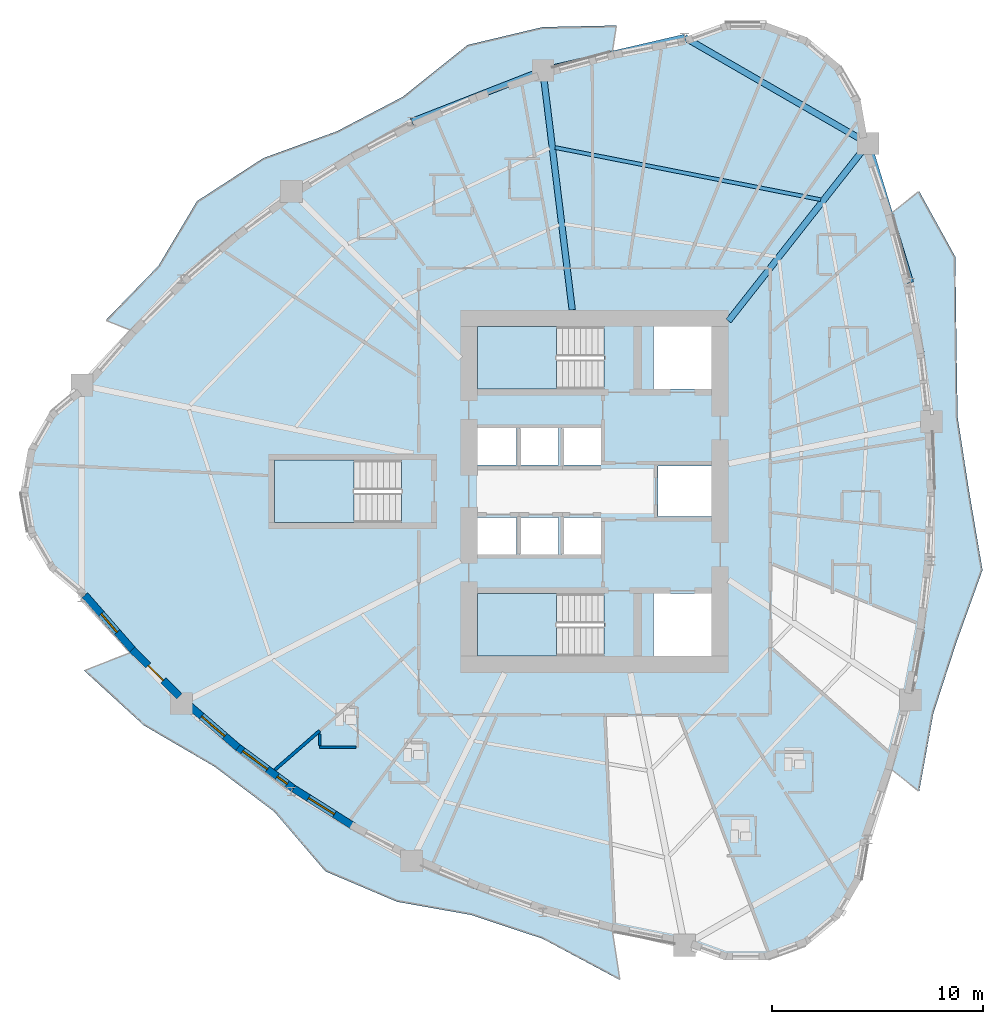
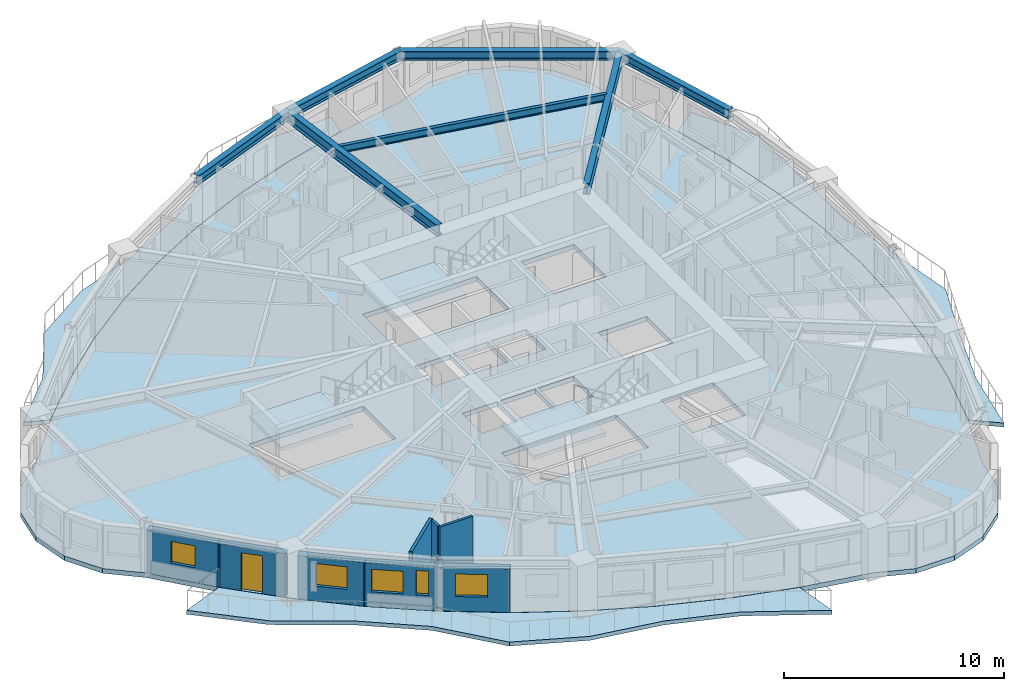
# One storey, part 2 of 14: 8 walls, 7 beams, 7 slabs, 5 windows, 1 door, 6 openings, 3 elements without a shape of their own.
"""IFC4 building model written with IfcOpenShell, lengths in metres."""

from ifc_helpers import new_model, si_unit, direction, frame, frame_2d, origin, origin_2d, place, context, subcontext, project, spatial, polyline, rectangle, i_section, outline, extrude, source, transform, mapped, material, layer, layer_set, material_profile, profile_set, type_object, element, fill, aggregate, save


model = new_model("IFC4")

# Units and contexts
model_context = context("Model", 3, precision=1e-05, world=origin(), true_north=direction((0.0, 1.0)))
body_context = subcontext(model_context, "Body", "Model", "MODEL_VIEW")
ifc_project = project(units=[si_unit("LENGTHUNIT", "METRE"), si_unit("AREAUNIT", "SQUARE_METRE"), si_unit("VOLUMEUNIT", "CUBIC_METRE"), si_unit("PLANEANGLEUNIT", "RADIAN"), si_unit("MASSUNIT", "GRAM", prefix="KILO")], contexts=[model_context])

# Site, building, storey
site_placement = place(None, origin())
site = spatial("IfcSite", under=ifc_project, at=site_placement, CompositionType="ELEMENT")
building_placement = place(site_placement, origin())
building = spatial("IfcBuilding", under=site, at=building_placement, Name="Qafzar Sky-Pleat Residences", CompositionType="ELEMENT")
storey_placement = place(building_placement, frame((0.0, 0.0, 39.800048828125)))
storey = spatial("IfcBuildingStorey", under=building, at=storey_placement, Name="L11", CompositionType="ELEMENT", Elevation=39.800048828125)

# Beams
ifc_material_1 = material(Name="Steel S355", Category="steel")
ifc_material_profile_1 = material_profile(ifc_material_1, i_section(OverallWidth=0.300048828125, OverallDepth=0.5, WebThickness=0.014404296875, FlangeThickness=0.028076171875, FilletRadius=0.027099609375, at=origin_2d()), Name="HEB 500")
ifc_profile_set_1 = profile_set([ifc_material_profile_1], Name="Steel S355")
beam_type_1 = type_object("IfcBeamType", Name="BM-SPAN-HEB500", PredefinedType="SPANDREL", material=ifc_profile_set_1)
shared_shape_1 = source(origin(), body_context, "Body", "SweptSolid", [
    extrude(i_section(OverallWidth=0.300048828125, OverallDepth=0.5, WebThickness=0.014404296875, FlangeThickness=0.028076171875, FilletRadius=0.027099609375, at=origin_2d()), origin(), (0.0, 0.0, 1.0), 10.0458984375),
])
beam_1_placement = place(storey_placement, frame((43.3173828125, 42.48486328125, 2.68798828125), z_axis=(-0.866024107753, 0.500002244785, 0.0), x_axis=(-0.500002244785, -0.866024107753, 0.0)))
element("IfcBeam", 1, at=beam_1_placement, inside=storey, type_object=beam_type_1, Name="L11 Perimeter Spandrel Beam 13", PredefinedType="SPANDREL", context=body_context, shape_type="MappedRepresentation", body=[
    mapped(shared_shape_1, transform((0.0, 0.0, 0.0), x_axis=(1.0, 0.0, 0.0), y_axis=(0.0, 1.0, 0.0), z_axis=(0.0, 0.0, 1.0), scale=1.0)),
])
shared_shape_2 = source(origin(), body_context, "Body", "SweptSolid", [
    extrude(i_section(OverallWidth=0.300048828125, OverallDepth=0.5, WebThickness=0.014404296875, FlangeThickness=0.028076171875, FilletRadius=0.027099609375, at=origin_2d()), origin(), (0.0, 0.0, 1.0), 6.891845703125),
])
beam_2_placement = place(storey_placement, frame((34.617431640625, 47.5078125, 2.68798828125), z_axis=(-0.974009481097, -0.226507242122, 0.0), x_axis=(0.226507242122, -0.974009481097, 0.0)))
element("IfcBeam", 2, at=beam_2_placement, inside=storey, type_object=beam_type_1, Name="L11 Perimeter Spandrel Beam 14", PredefinedType="SPANDREL", context=body_context, shape_type="MappedRepresentation", body=[
    mapped(shared_shape_2, transform((0.0, 0.0, 0.0), x_axis=(1.0, 0.0, 0.0), y_axis=(0.0, 1.0, 0.0), z_axis=(0.0, 0.0, 1.0), scale=1.0)),
])
shared_shape_3 = source(origin(), body_context, "Body", "SweptSolid", [
    extrude(i_section(OverallWidth=0.300048828125, OverallDepth=0.5, WebThickness=0.014404296875, FlangeThickness=0.028076171875, FilletRadius=0.027099609375, at=origin_2d()), origin(), (0.0, 0.0, 1.0), 6.669677734375),
])
beam_3_placement = place(storey_placement, frame((27.90478515625, 45.94677734375, 2.68798828125), z_axis=(-0.931329164227, -0.364178510981, 0.0), x_axis=(0.364178510981, -0.931329164227, 0.0)))
element("IfcBeam", 3, at=beam_3_placement, inside=storey, type_object=beam_type_1, Name="L11 Perimeter Spandrel Beam 15", PredefinedType="SPANDREL", context=body_context, shape_type="MappedRepresentation", body=[
    mapped(shared_shape_3, transform((0.0, 0.0, 0.0), x_axis=(1.0, 0.0, 0.0), y_axis=(0.0, 1.0, 0.0), z_axis=(0.0, 0.0, 1.0), scale=1.0)),
])
shared_shape_4 = source(origin(), body_context, "Body", "SweptSolid", [
    extrude(i_section(OverallWidth=0.300048828125, OverallDepth=0.5, WebThickness=0.014404296875, FlangeThickness=0.028076171875, FilletRadius=0.027099609375, at=origin_2d()), origin(), (0.0, 0.0, 1.0), 6.89208984375),
])
beam_4_placement = place(storey_placement, frame((45.322021484375, 35.890869140625, 2.68798828125), z_axis=(-0.290865585576, 0.95676392654, 0.0), x_axis=(-0.95676392654, -0.290865585576, 0.0)))
element("IfcBeam", 4, at=beam_4_placement, inside=storey, type_object=beam_type_1, Name="L11 Perimeter Spandrel Beam 12", PredefinedType="SPANDREL", context=body_context, shape_type="MappedRepresentation", body=[
    mapped(shared_shape_4, transform((0.0, 0.0, 0.0), x_axis=(1.0, 0.0, 0.0), y_axis=(0.0, 1.0, 0.0), z_axis=(0.0, 0.0, 1.0), scale=1.0)),
])
ifc_material_profile_2 = material_profile(ifc_material_1, i_section(OverallWidth=0.300048828125, OverallDepth=0.60009765625, WebThickness=0.015380859375, FlangeThickness=0.030029296875, FilletRadius=0.027099609375, at=origin_2d()), Name="HEB 600")
ifc_profile_set_2 = profile_set([ifc_material_profile_2], Name="Steel S355")
beam_type_2 = type_object("IfcBeamType", Name="BM-GIRD-HEB600", PredefinedType="BEAM", material=ifc_profile_set_2)
shared_shape_5 = source(origin(), body_context, "Body", "SweptSolid", [
    extrude(i_section(OverallWidth=0.300048828125, OverallDepth=0.60009765625, WebThickness=0.015380859375, FlangeThickness=0.030029296875, FilletRadius=0.027099609375, at=origin_2d()), origin(), (0.0, 0.0, 1.0), 10.703125),
])
beam_5_placement = place(storey_placement, frame((43.3173828125, 42.48486328125, 2.637939453125), z_axis=(-0.618267724454, -0.785967569877, 0.0), x_axis=(0.785967569877, -0.618267724454, 0.0)))
element("IfcBeam", 5, at=beam_5_placement, inside=storey, type_object=beam_type_2, Name="L11 Radial Floor Girder 13", PredefinedType="BEAM", context=body_context, shape_type="MappedRepresentation", body=[
    mapped(shared_shape_5, transform((0.0, 0.0, 0.0), x_axis=(1.0, 0.0, 0.0), y_axis=(0.0, 1.0, 0.0), z_axis=(0.0, 0.0, 1.0), scale=1.0)),
])
shared_shape_6 = source(origin(), body_context, "Body", "SweptSolid", [
    extrude(i_section(OverallWidth=0.300048828125, OverallDepth=0.60009765625, WebThickness=0.015380859375, FlangeThickness=0.030029296875, FilletRadius=0.027099609375, at=origin_2d()), origin(), (0.0, 0.0, 1.0), 11.431640625),
])
beam_6_placement = place(storey_placement, frame((27.90478515625, 45.94677734375, 2.637939453125), z_axis=(0.121668724552, -0.992570763959, 0.0), x_axis=(0.992570763959, 0.121668724552, 0.0)))
element("IfcBeam", 6, at=beam_6_placement, inside=storey, type_object=beam_type_2, Name="L11 Radial Floor Girder 15", PredefinedType="BEAM", context=body_context, shape_type="MappedRepresentation", body=[
    mapped(shared_shape_6, transform((0.0, 0.0, 0.0), x_axis=(1.0, 0.0, 0.0), y_axis=(0.0, 1.0, 0.0), z_axis=(0.0, 0.0, 1.0), scale=1.0)),
])
ifc_material_profile_3 = material_profile(ifc_material_1, i_section(OverallWidth=0.179931640625, OverallDepth=0.39990234375, WebThickness=0.008544921875, FlangeThickness=0.013427734375, FilletRadius=0.02099609375, at=origin_2d()), Name="IPE 400")
ifc_profile_set_3 = profile_set([ifc_material_profile_3], Name="Steel S355")
beam_type_3 = type_object("IfcBeamType", Name="BM-JST-IPE400", PredefinedType="JOIST", material=ifc_profile_set_3)
shared_shape_7 = source(origin(), body_context, "Body", "SweptSolid", [
    extrude(i_section(OverallWidth=0.179931640625, OverallDepth=0.39990234375, WebThickness=0.008544921875, FlangeThickness=0.013427734375, FilletRadius=0.02099609375, at=origin_2d()), origin(), (0.0, 0.0, 1.0), 12.8251953125),
])
beam_7_placement = place(storey_placement, frame((41.0673828125, 39.81884765625, 2.738037109375), z_axis=(-0.981265018358, 0.192662823986, 0.0), x_axis=(-0.192662823986, -0.981265018358, 0.0)))
element("IfcBeam", 7, at=beam_7_placement, inside=storey, type_object=beam_type_3, Name="L11 Outer Secondary Floor Joist 7", PredefinedType="JOIST", context=body_context, shape_type="MappedRepresentation", body=[
    mapped(shared_shape_7, transform((0.0, 0.0, 0.0), x_axis=(1.0, 0.0, 0.0), y_axis=(0.0, 1.0, 0.0), z_axis=(0.0, 0.0, 1.0), scale=1.0)),
])

# Slabs
ifc_material_2 = material(Name="Concrete C40/50", Category="concrete")
ifc_layer_1 = layer(ifc_material_2, 0.219970703125)
ifc_layer_set_1 = layer_set([ifc_layer_1], Name="Concrete C40/50")
slab_type_1 = type_object("IfcSlabType", Name="SLAB-BAL-220", PredefinedType="USERDEFINED", material=ifc_layer_set_1)
slab_1_placement = place(storey_placement, frame((0.0, 0.0, -0.219970703125)))
element("IfcSlab", 8, at=slab_1_placement, inside=storey, type_object=slab_type_1, Name="L11 Pleated Stone Balcony 1", ObjectType="BALCONY", PredefinedType="USERDEFINED", context=body_context, shape_type="SweptSolid", body=[
    extrude(outline(polyline([(45.33251953125, 16.10302734375), (45.959716796875, 19.402099609375), (46.336181640625, 22.700927734375), (46.461669921875, 26.0), (46.336181640625, 29.299072265625), (45.959716796875, 32.597900390625), (45.33251953125, 35.89697265625), (44.45458984375, 39.1953125), (45.732421875, 40.22021484375), (47.44970703125, 37.105712890625), (47.497314453125, 33.162841796875), (47.554443359375, 29.518310546875), (48.099609375, 26.0), (48.735595703125, 22.269287109375), (47.497314453125, 18.837158203125), (46.40771484375, 15.4892578125), (45.732421875, 11.77978515625), (44.45458984375, 12.8046875), (45.33251953125, 16.10302734375)])), origin(), (0.0, 0.0, 1.0), 0.219970703125),
])
slab_2_placement = place(storey_placement, frame((0.0, 0.0, -0.219970703125)))
element("IfcSlab", 9, at=slab_2_placement, inside=storey, type_object=slab_type_1, Name="L11 Pleated Stone Balcony 2", ObjectType="BALCONY", PredefinedType="USERDEFINED", context=body_context, shape_type="SweptSolid", body=[
    extrude(outline(polyline([(27.904541015625, 45.958740234375), (24.734375, 44.8525390625), (21.68896484375, 43.529052734375), (18.769287109375, 41.98828125), (15.974853515625, 40.22998046875), (13.30615234375, 38.254638671875), (10.7626953125, 36.06201171875), (8.34521484375, 33.65234375), (7.191650390625, 34.101318359375), (9.693603515625, 36.68603515625), (11.51611328125, 39.747314453125), (14.659423828125, 41.78662109375), (18.150146484375, 43.060302734375), (21.269775390625, 44.69384765625), (24.33642578125, 47.149169921875), (27.89501953125, 47.996826171875), (31.38818359375, 48.0712890625), (31.2001953125, 46.84765625), (27.904541015625, 45.958740234375)])), origin(), (0.0, 0.0, 1.0), 0.219970703125),
])
slab_3_placement = place(storey_placement, frame((0.0, 0.0, -0.219970703125)))
element("IfcSlab", 10, at=slab_3_placement, inside=storey, type_object=slab_type_1, Name="L11 Pleated Stone Balcony 3", ObjectType="BALCONY", PredefinedType="USERDEFINED", context=body_context, shape_type="SweptSolid", body=[
    extrude(outline(polyline([(10.7626953125, 15.93798828125), (13.30615234375, 13.745361328125), (15.974853515625, 11.77001953125), (18.769287109375, 10.01171875), (21.68896484375, 8.470947265625), (24.734375, 7.1474609375), (27.904541015625, 6.041259765625), (31.2001953125, 5.15234375), (31.553955078125, 2.848388671875), (27.898681640625, 4.80322265625), (24.52294921875, 5.927490234375), (20.998779296875, 6.553466796875), (17.603759765625, 7.993408203125), (15.17578125, 10.82421875), (12.355224609375, 12.952392578125), (9.002685546875, 14.91064453125), (6.17333984375, 17.502197265625), (8.34521484375, 18.34765625), (10.7626953125, 15.93798828125)])), origin(), (0.0, 0.0, 1.0), 0.219970703125),
])
ifc_layer_2 = layer(ifc_material_2, 0.260009765625)
ifc_layer_set_2 = layer_set([ifc_layer_2], Name="Concrete C40/50")
slab_type_2 = type_object("IfcSlabType", Name="SLAB-FLR-260", PredefinedType="FLOOR", material=ifc_layer_set_2)
slab_4_placement = place(storey_placement, frame((0.0, 0.0, -0.260009765625)))
element("IfcSlab", 11, at=slab_4_placement, inside=storey, type_object=slab_type_2, Name="L11 Structural Floor Slab", PredefinedType="FLOOR", context=body_context, shape_type="SweptSolid", body=[
    extrude(outline(polyline([(6.06494140625, 31.02294921875), (4.52197265625, 29.728271484375), (3.514892578125, 27.983642578125), (3.1650390625, 26.0), (3.514892578125, 24.016357421875), (4.52197265625, 22.271728515625), (6.06494140625, 20.97705078125), (8.3564453125, 18.35205078125), (10.773193359375, 15.944091796875), (13.315185546875, 13.753173828125), (15.982666015625, 11.779052734375), (18.775146484375, 10.022216796875), (21.693115234375, 8.482177734375), (24.736328125, 7.1591796875), (27.90478515625, 6.05322265625), (31.198486328125, 5.164306640625), (34.617431640625, 4.4921875), (36.51025390625, 3.80322265625), (38.524658203125, 3.80322265625), (40.41748046875, 4.4921875), (41.960693359375, 5.787109375), (42.9677734375, 7.531494140625), (43.3173828125, 9.51513671875), (44.445068359375, 12.812255859375), (45.322021484375, 16.109130859375), (45.948486328125, 19.406005859375), (46.32421875, 22.702880859375), (46.44970703125, 26.0), (46.32421875, 29.297119140625), (45.948486328125, 32.593994140625), (45.322021484375, 35.890869140625), (44.445068359375, 39.187744140625), (43.3173828125, 42.48486328125), (42.9677734375, 44.468505859375), (41.960693359375, 46.212890625), (40.41748046875, 47.5078125), (38.524658203125, 48.19677734375), (36.51025390625, 48.19677734375), (34.617431640625, 47.5078125), (31.198486328125, 46.835693359375), (27.90478515625, 45.94677734375), (24.736328125, 44.8408203125), (21.693115234375, 43.517822265625), (18.775146484375, 41.977783203125), (15.982666015625, 40.220947265625), (13.315185546875, 38.246826171875), (10.773193359375, 36.055908203125), (8.3564453125, 33.64794921875), (6.06494140625, 31.02294921875)]), holes=[polyline([(30.797119140625, 21.14990234375), (24.800048828125, 21.14990234375), (24.800048828125, 18.199951171875), (30.797119140625, 18.199951171875), (30.797119140625, 21.14990234375)]), polyline([(30.797119140625, 33.800048828125), (24.800048828125, 33.800048828125), (24.800048828125, 30.85009765625), (30.797119140625, 30.85009765625), (30.797119140625, 33.800048828125)]), polyline([(21.197021484375, 27.47509765625), (15.199951171875, 27.47509765625), (15.199951171875, 24.52490234375), (21.197021484375, 24.52490234375), (21.197021484375, 27.47509765625)]), polyline([(24.800048828125, 22.949951171875), (26.64990234375, 22.949951171875), (26.64990234375, 24.75), (24.800048828125, 24.75), (24.800048828125, 22.949951171875)]), polyline([(26.800048828125, 22.949951171875), (28.64990234375, 22.949951171875), (28.64990234375, 24.75), (26.800048828125, 24.75), (26.800048828125, 22.949951171875)]), polyline([(28.800048828125, 22.949951171875), (30.64990234375, 22.949951171875), (30.64990234375, 24.75), (28.800048828125, 24.75), (28.800048828125, 22.949951171875)]), polyline([(24.800048828125, 27.25), (26.64990234375, 27.25), (26.64990234375, 29.050048828125), (24.800048828125, 29.050048828125), (24.800048828125, 27.25)]), polyline([(26.800048828125, 27.25), (28.64990234375, 27.25), (28.64990234375, 29.050048828125), (26.800048828125, 29.050048828125), (26.800048828125, 27.25)]), polyline([(28.800048828125, 27.25), (30.64990234375, 27.25), (30.64990234375, 29.050048828125), (28.800048828125, 29.050048828125), (28.800048828125, 27.25)]), polyline([(33.14990234375, 18.199951171875), (35.89990234375, 18.199951171875), (35.89990234375, 21.14990234375), (33.14990234375, 21.14990234375), (33.14990234375, 18.199951171875)]), polyline([(33.14990234375, 30.85009765625), (35.89990234375, 30.85009765625), (35.89990234375, 33.800048828125), (33.14990234375, 33.800048828125), (33.14990234375, 30.85009765625)]), polyline([(33.35009765625, 24.800048828125), (35.89990234375, 24.800048828125), (35.89990234375, 27.199951171875), (33.35009765625, 27.199951171875), (33.35009765625, 24.800048828125)])]), origin(), (0.0, 0.0, 1.0), 0.260009765625),
])

# Stair, slab
stair_type = type_object("IfcStairType", Name="STAIR-H320", PredefinedType="HALF_TURN_STAIR", material=ifc_material_2)
stair_1_placement = place(storey_placement, origin())
stair_1 = element("IfcStair", 12, at=stair_1_placement, inside=storey, type_object=stair_type, Name="L11 Protected Exit Stair ST1", PredefinedType="HALF_TURN_STAIR")
ifc_layer_3 = layer(ifc_material_2, 0.199951171875)
ifc_layer_set_3 = layer_set([ifc_layer_3], Name="Concrete C40/50")
slab_type_3 = type_object("IfcSlabType", Name="SLAB-LANDING-200", PredefinedType="LANDING", material=ifc_layer_set_3)
slab_5_placement = place(storey_placement, frame((0.0, 0.0, 1.39990234375)))
slab_5 = element("IfcSlab", 13, at=slab_5_placement, type_object=slab_type_3, Name="ST1 landing 1", PredefinedType="LANDING", context=body_context, shape_type="SweptSolid", body=[
    extrude(outline(polyline([(28.56005859375, 21.14990234375), (24.800048828125, 21.14990234375), (24.800048828125, 18.199951171875), (28.56005859375, 18.199951171875), (28.56005859375, 21.14990234375)])), origin(), (0.0, 0.0, 1.0), 0.199951171875),
])
aggregate(stair_1, [slab_5])

stair_2_placement = place(storey_placement, origin())
stair_2 = element("IfcStair", 14, at=stair_2_placement, inside=storey, type_object=stair_type, Name="L11 Protected Exit Stair ST2", PredefinedType="HALF_TURN_STAIR")
slab_6_placement = place(storey_placement, frame((0.0, 0.0, 1.39990234375)))
slab_6 = element("IfcSlab", 15, at=slab_6_placement, type_object=slab_type_3, Name="ST2 landing 1", PredefinedType="LANDING", context=body_context, shape_type="SweptSolid", body=[
    extrude(outline(polyline([(28.56005859375, 33.800048828125), (24.800048828125, 33.800048828125), (24.800048828125, 30.85009765625), (28.56005859375, 30.85009765625), (28.56005859375, 33.800048828125)])), origin(), (0.0, 0.0, 1.0), 0.199951171875),
])
aggregate(stair_2, [slab_6])

stair_3_placement = place(storey_placement, origin())
stair_3 = element("IfcStair", 16, at=stair_3_placement, inside=storey, type_object=stair_type, Name="L11 Protected Exit Stair ST3", PredefinedType="HALF_TURN_STAIR")
slab_7_placement = place(storey_placement, frame((0.0, 0.0, 1.39990234375)))
slab_7 = element("IfcSlab", 17, at=slab_7_placement, type_object=slab_type_3, Name="ST3 landing 1", PredefinedType="LANDING", context=body_context, shape_type="SweptSolid", body=[
    extrude(outline(polyline([(18.9599609375, 27.47509765625), (15.199951171875, 27.47509765625), (15.199951171875, 24.52490234375), (18.9599609375, 24.52490234375), (18.9599609375, 27.47509765625)])), origin(), (0.0, 0.0, 1.0), 0.199951171875),
])
aggregate(stair_3, [slab_7])

# Walls
ifc_material_3 = material(Name="Acoustic gypsum plasterboard partition", Category="gypsum")
ifc_layer_4 = layer(ifc_material_3, 0.14501953125)
ifc_layer_set_4 = layer_set([ifc_layer_4], Name="Acoustic gypsum plasterboard partition")
wall_type_1 = type_object("IfcWallType", Name="PART-UNIT-145", PredefinedType="PARTITIONING", material=ifc_layer_set_4)
wall_1_placement = place(storey_placement, frame((15.215087890625, 12.811767578125, 0.0), z_axis=(0.0, 0.0, 1.0), x_axis=(0.753874404049, 0.657018555993, 0.0)))
element("IfcWall", 18, at=wall_1_placement, inside=storey, type_object=wall_type_1, Name="L11 Partition Wall PART-L11-PW-063", PredefinedType="PARTITIONING", context=body_context, shape_type="SweptSolid", body=[
    extrude(rectangle(XDim=2.805419921875, YDim=0.14501953125, at=frame_2d((1.40283203125, 0.0))), origin(), (0.0, 0.0, 1.0), 2.93994140625),
])
ifc_material_4 = material(Name="Moisture-resistant gypsum partition", Category="gypsum")
ifc_layer_5 = layer(ifc_material_4, 0.1298828125)
ifc_layer_set_5 = layer_set([ifc_layer_5], Name="Moisture-resistant gypsum partition")
wall_type_2 = type_object("IfcWallType", Name="PART-WET-130", PredefinedType="PARTITIONING", material=ifc_layer_set_5)
wall_2_placement = place(storey_placement, frame((17.330078125, 13.8740234375, 0.0), z_axis=(0.0, 0.0, 1.0), x_axis=(1.0, 0.0, 0.0)))
element("IfcWall", 19, at=wall_2_placement, inside=storey, type_object=wall_type_2, Name="L11 Partition Wall PART-L11-PW-077", PredefinedType="PARTITIONING", context=body_context, shape_type="SweptSolid", body=[
    extrude(rectangle(XDim=1.726806640625, YDim=0.1298828125, at=frame_2d((0.86328125, 0.0))), origin(), (0.0, 0.0, 1.0), 2.93994140625),
])
wall_3_placement = place(storey_placement, frame((17.330078125, 13.947021484375, 0.0), z_axis=(0.0, 0.0, 1.0), x_axis=(0.0, 1.0, 0.0)))
element("IfcWall", 20, at=wall_3_placement, inside=storey, type_object=wall_type_2, Name="L11 Partition Wall PART-L11-PW-106", PredefinedType="PARTITIONING", context=body_context, shape_type="SweptSolid", body=[
    extrude(rectangle(XDim=0.547119140625, YDim=0.1298828125, at=frame_2d((0.2734375, 0.0))), origin(), (0.0, 0.0, 1.0), 2.93994140625),
])

# Wall, opening, window
ifc_material_5 = material(Name="Precast concrete C40/50 with honed Riyadh limestone", Category="concrete")
ifc_layer_6 = layer(ifc_material_5, 0.35009765625)
ifc_layer_set_6 = layer_set([ifc_layer_6], Name="Precast concrete C40/50 with honed Riyadh limestone")
wall_type_3 = type_object("IfcWallType", Name="WALL-EXT-350", PredefinedType="SOLIDWALL", material=ifc_layer_set_6)
wall_4_placement = place(storey_placement, frame((6.2099609375, 21.0771484375, 0.0), z_axis=(0.0, 0.0, 1.0), x_axis=(0.657630648053, -0.75334051447, 0.0)))
wall_4 = element("IfcWall", 21, at=wall_4_placement, inside=storey, type_object=wall_type_3, Name="L11 Limestone Facade Wall 7", PredefinedType="SOLIDWALL", context=body_context, shape_type="SweptSolid", body=[
    extrude(rectangle(XDim=3.502197265625, YDim=0.35009765625, at=frame_2d((1.7509765625, 0.0))), origin(), (0.0, 0.0, 1.0), 2.419921875),
])
opening_1_placement = place(wall_4_placement, frame((1.166259765625, 0.0, 0.820068359375)))
opening_1 = element("IfcOpeningElement", 22, at=opening_1_placement, cuts=wall_4, Name="Opening WN-16", PredefinedType="OPENING", context=body_context, shape_type="SweptSolid", body=[
    extrude(rectangle(XDim=1.14990234375, YDim=1.199951171875, at=frame_2d((0.574951171875, 0.60009765625))), frame((0.0, 0.18505859375, 0.0), z_axis=(0.0, -1.0, 0.0), x_axis=(1.0, 0.0, 0.0)), (0.0, 0.0, 1.0), 0.3701171875),
])
ifc_material_6 = material(Name="Solar-control low-E glass in bronze aluminium frame", Category="glass")
window_type_1 = type_object("IfcWindowType", Name="WIN-16", PartitioningType="SINGLE_PANEL", PredefinedType="WINDOW", material=ifc_material_6)
shared_shape_8 = source(origin(), body_context, "Body", "SweptSolid", [
    extrude(rectangle(XDim=1.14990234375, YDim=1.199951171875, at=frame_2d((0.574951171875, 0.60009765625))), frame((0.0, 0.030029296875, 0.0), z_axis=(0.0, -1.0, 0.0), x_axis=(1.0, 0.0, 0.0)), (0.0, 0.0, 1.0), 0.06005859375),
])
window_1_placement = place(opening_1_placement, origin())
window_1 = element("IfcWindow", 23, at=window_1_placement, inside=storey, type_object=window_type_1, Name="L11 Punched Facade Window 07", OverallHeight=1.199951171875, OverallWidth=1.14990234375, PartitioningType="SINGLE_PANEL", PredefinedType="WINDOW", context=body_context, shape_type="MappedRepresentation", body=[
    mapped(shared_shape_8, transform((0.0, 0.0, 0.0), x_axis=(1.0, 0.0, 0.0), y_axis=(0.0, 1.0, 0.0), z_axis=(0.0, 0.0, 1.0), scale=1.0)),
])
fill(opening_1, window_1)

# Wall, opening, door
wall_5_placement = place(storey_placement, frame((8.453125, 18.5029296875, 0.0), z_axis=(0.0, 0.0, 1.0), x_axis=(0.708345957791, -0.705865429158, 0.0)))
wall_5 = element("IfcWall", 24, at=wall_5_placement, inside=storey, type_object=wall_type_3, Name="L11 Limestone Facade Wall 8", PredefinedType="SOLIDWALL", context=body_context, shape_type="SweptSolid", body=[
    extrude(rectangle(XDim=3.1494140625, YDim=0.35009765625, at=frame_2d((1.57470703125, 0.0))), origin(), (0.0, 0.0, 1.0), 2.419921875),
])
opening_2_placement = place(wall_5_placement, frame((1.07470703125, 0.0, 0.0)))
opening_2 = element("IfcOpeningElement", 25, at=opening_2_placement, cuts=wall_5, Name="Opening ED-05", PredefinedType="OPENING", context=body_context, shape_type="SweptSolid", body=[
    extrude(rectangle(XDim=1.0, YDim=2.10009765625, at=frame_2d((0.5, 1.050048828125))), frame((0.0, 0.18505859375, 0.0), z_axis=(0.0, -1.0, 0.0), x_axis=(1.0, 0.0, 0.0)), (0.0, 0.0, 1.0), 0.3701171875),
])
ifc_material_7 = material(Name="Glazed bronze aluminium door", Category="aluminium")
door_type = type_object("IfcDoorType", Name="DR-BAL-1000", OperationType="NOTDEFINED", PredefinedType="DOOR", material=ifc_material_7)
shared_shape_9 = source(origin(), body_context, "Body", "SweptSolid", [
    extrude(rectangle(XDim=1.0, YDim=2.10009765625, at=frame_2d((0.5, 1.050048828125))), frame((0.0, 0.02490234375, 0.0), z_axis=(0.0, -1.0, 0.0), x_axis=(1.0, 0.0, 0.0)), (0.0, 0.0, 1.0), 0.050048828125),
])
door_placement = place(opening_2_placement, origin())
door = element("IfcDoor", 26, at=door_placement, inside=storey, type_object=door_type, Name="L11 Glazed Balcony Door 3", OperationType="SINGLE_SWING_LEFT", OverallHeight=2.10009765625, OverallWidth=1.0, PredefinedType="DOOR", context=body_context, shape_type="MappedRepresentation", body=[
    mapped(shared_shape_9, transform((0.0, 0.0, 0.0), x_axis=(1.0, 0.0, 0.0), y_axis=(0.0, 1.0, 0.0), z_axis=(0.0, 0.0, 1.0), scale=1.0)),
])
fill(opening_2, door)

# Wall, opening, window
wall_6_placement = place(storey_placement, frame((11.11474609375, 15.880859375, 0.0), z_axis=(0.0, 0.0, 1.0), x_axis=(0.757448984216, -0.6528943531, 0.0)))
wall_6 = element("IfcWall", 27, at=wall_6_placement, inside=storey, type_object=wall_type_3, Name="L11 Limestone Facade Wall 9", PredefinedType="SOLIDWALL", context=body_context, shape_type="SweptSolid", body=[
    extrude(rectangle(XDim=3.093994140625, YDim=0.35009765625, at=frame_2d((1.546875, 0.0))), origin(), (0.0, 0.0, 1.0), 2.419921875),
])
opening_3_placement = place(wall_6_placement, frame((0.81689453125, 0.0, 0.820068359375)))
opening_3 = element("IfcOpeningElement", 28, at=opening_3_placement, cuts=wall_6, Name="Opening WN-15", PredefinedType="OPENING", context=body_context, shape_type="SweptSolid", body=[
    extrude(rectangle(XDim=1.449951171875, YDim=1.25, at=frame_2d((0.72509765625, 0.625))), frame((0.0, 0.18505859375, 0.0), z_axis=(0.0, -1.0, 0.0), x_axis=(1.0, 0.0, 0.0)), (0.0, 0.0, 1.0), 0.3701171875),
])
window_type_2 = type_object("IfcWindowType", Name="WIN-15", PartitioningType="SINGLE_PANEL", PredefinedType="WINDOW", material=ifc_material_6)
shared_shape_10 = source(origin(), body_context, "Body", "SweptSolid", [
    extrude(rectangle(XDim=1.449951171875, YDim=1.25, at=frame_2d((0.72509765625, 0.625))), frame((0.0, 0.030029296875, 0.0), z_axis=(0.0, -1.0, 0.0), x_axis=(1.0, 0.0, 0.0)), (0.0, 0.0, 1.0), 0.06005859375),
])
window_2_placement = place(opening_3_placement, origin())
window_2 = element("IfcWindow", 29, at=window_2_placement, inside=storey, type_object=window_type_2, Name="L11 Punched Facade Window 09", OverallHeight=1.25, OverallWidth=1.449951171875, PartitioningType="SINGLE_PANEL", PredefinedType="WINDOW", context=body_context, shape_type="MappedRepresentation", body=[
    mapped(shared_shape_10, transform((0.0, 0.0, 0.0), x_axis=(1.0, 0.0, 0.0), y_axis=(0.0, 1.0, 0.0), z_axis=(0.0, 0.0, 1.0), scale=1.0)),
])
fill(opening_3, window_2)

# Wall, openings, windows
wall_7_placement = place(storey_placement, frame((13.388916015625, 13.91650390625, 0.0), z_axis=(0.0, 0.0, 1.0), x_axis=(0.803777512245, -0.594930004966, 0.0)))
wall_7 = element("IfcWall", 30, at=wall_7_placement, inside=storey, type_object=wall_type_3, Name="L11 Limestone Facade Wall 10", PredefinedType="SOLIDWALL", context=body_context, shape_type="SweptSolid", body=[
    extrude(rectangle(XDim=3.336181640625, YDim=0.35009765625, at=frame_2d((1.66796875, 0.0))), origin(), (0.0, 0.0, 1.0), 2.419921875),
])
opening_4_placement = place(wall_7_placement, frame((0.373779296875, 0.0, 0.820068359375)))
opening_4 = element("IfcOpeningElement", 31, at=opening_4_placement, cuts=wall_7, Name="Opening WN-15", PredefinedType="OPENING", context=body_context, shape_type="SweptSolid", body=[
    extrude(rectangle(XDim=1.449951171875, YDim=1.25, at=frame_2d((0.72509765625, 0.625))), frame((0.0, 0.18505859375, 0.0), z_axis=(0.0, -1.0, 0.0), x_axis=(1.0, 0.0, 0.0)), (0.0, 0.0, 1.0), 0.3701171875),
])
opening_5_placement = place(wall_7_placement, frame((2.406982421875, 0.0, 0.820068359375)))
opening_5 = element("IfcOpeningElement", 32, at=opening_5_placement, cuts=wall_7, Name="Opening WN-17", PredefinedType="OPENING", context=body_context, shape_type="SweptSolid", body=[
    extrude(rectangle(XDim=0.580078125, YDim=1.35009765625, at=frame_2d((0.2900390625, 0.675048828125))), frame((0.0, 0.18505859375, 0.0), z_axis=(0.0, -1.0, 0.0), x_axis=(1.0, 0.0, 0.0)), (0.0, 0.0, 1.0), 0.3701171875),
])
window_3_placement = place(opening_4_placement, origin())
window_3 = element("IfcWindow", 33, at=window_3_placement, inside=storey, type_object=window_type_2, Name="L11 Punched Facade Window 10", OverallHeight=1.25, OverallWidth=1.449951171875, PartitioningType="SINGLE_PANEL", PredefinedType="WINDOW", context=body_context, shape_type="MappedRepresentation", body=[
    mapped(shared_shape_10, transform((0.0, 0.0, 0.0), x_axis=(1.0, 0.0, 0.0), y_axis=(0.0, 1.0, 0.0), z_axis=(0.0, 0.0, 1.0), scale=1.0)),
])
fill(opening_4, window_3)
window_type_3 = type_object("IfcWindowType", Name="WIN-17", PartitioningType="SINGLE_PANEL", PredefinedType="WINDOW", material=ifc_material_6)
shared_shape_11 = source(origin(), body_context, "Body", "SweptSolid", [
    extrude(rectangle(XDim=0.580078125, YDim=1.35009765625, at=frame_2d((0.2900390625, 0.675048828125))), frame((0.0, 0.030029296875, 0.0), z_axis=(0.0, -1.0, 0.0), x_axis=(1.0, 0.0, 0.0)), (0.0, 0.0, 1.0), 0.06005859375),
])
window_4_placement = place(opening_5_placement, origin())
window_4 = element("IfcWindow", 34, at=window_4_placement, inside=storey, type_object=window_type_3, Name="L11 Punched Facade Window 10-2", OverallHeight=1.35009765625, OverallWidth=0.580078125, PartitioningType="SINGLE_PANEL", PredefinedType="WINDOW", context=body_context, shape_type="MappedRepresentation", body=[
    mapped(shared_shape_11, transform((0.0, 0.0, 0.0), x_axis=(1.0, 0.0, 0.0), y_axis=(0.0, 1.0, 0.0), z_axis=(0.0, 0.0, 1.0), scale=1.0)),
])
fill(opening_5, window_4)

# Wall, opening, window
wall_8_placement = place(storey_placement, frame((16.0927734375, 11.91650390625, 0.0), z_axis=(0.0, 0.0, 1.0), x_axis=(0.846444167315, -0.532477484612, 0.0)))
wall_8 = element("IfcWall", 35, at=wall_8_placement, inside=storey, type_object=wall_type_3, Name="L11 Limestone Facade Wall 11", PredefinedType="SOLIDWALL", context=body_context, shape_type="SweptSolid", body=[
    extrude(rectangle(XDim=3.317138671875, YDim=0.35009765625, at=frame_2d((1.65869140625, 0.0))), origin(), (0.0, 0.0, 1.0), 2.419921875),
])
opening_6_placement = place(wall_8_placement, frame((0.833984375, 0.0, 0.820068359375)))
opening_6 = element("IfcOpeningElement", 36, at=opening_6_placement, cuts=wall_8, Name="Opening WN-15", PredefinedType="OPENING", context=body_context, shape_type="SweptSolid", body=[
    extrude(rectangle(XDim=1.449951171875, YDim=1.25, at=frame_2d((0.72509765625, 0.625))), frame((0.0, 0.18505859375, 0.0), z_axis=(0.0, -1.0, 0.0), x_axis=(1.0, 0.0, 0.0)), (0.0, 0.0, 1.0), 0.3701171875),
])
window_5_placement = place(opening_6_placement, origin())
window_5 = element("IfcWindow", 37, at=window_5_placement, inside=storey, type_object=window_type_2, Name="L11 Punched Facade Window 11", OverallHeight=1.25, OverallWidth=1.449951171875, PartitioningType="SINGLE_PANEL", PredefinedType="WINDOW", context=body_context, shape_type="MappedRepresentation", body=[
    mapped(shared_shape_10, transform((0.0, 0.0, 0.0), x_axis=(1.0, 0.0, 0.0), y_axis=(0.0, 1.0, 0.0), z_axis=(0.0, 0.0, 1.0), scale=1.0)),
])
fill(opening_6, window_5)

save(model, "model.ifc")
